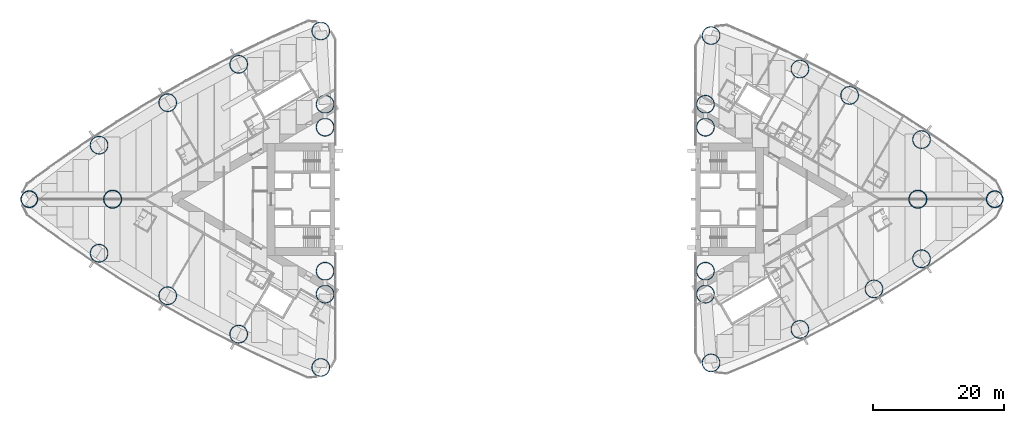
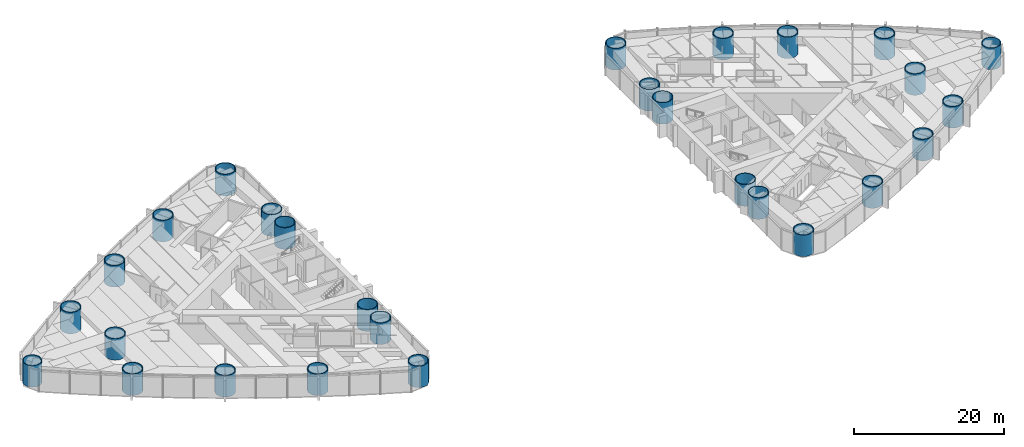
# One storey, part 1 of 19: 28 columns.
"""IFC4 building model written with IfcOpenShell, lengths in metres."""

from ifc_helpers import new_model, si_unit, direction, frame, origin, origin_2d, place, context, subcontext, project, spatial, hollow_circle, extrude, material, material_profile, profile_set, type_object, element, save


model = new_model("IFC4")

# Units and contexts
model_context = context("Model", 3, precision=1e-05, world=origin(), true_north=direction((0.0, 1.0)))
body_context = subcontext(model_context, "Body", "Model", "MODEL_VIEW")
ifc_project = project(units=[si_unit("LENGTHUNIT", "METRE"), si_unit("AREAUNIT", "SQUARE_METRE"), si_unit("VOLUMEUNIT", "CUBIC_METRE"), si_unit("PLANEANGLEUNIT", "RADIAN"), si_unit("MASSUNIT", "GRAM", prefix="KILO")], contexts=[model_context])

# Site, building, storey
site_placement = place(None, origin())
site = spatial("IfcSite", under=ifc_project, at=site_placement, CompositionType="ELEMENT")
building_placement = place(site_placement, origin())
building = spatial("IfcBuilding", under=site, at=building_placement, Name="Lancet Gate Hotel", CompositionType="ELEMENT")
storey_placement = place(building_placement, frame((0.0, 0.0, 39.0)))
storey = spatial("IfcBuildingStorey", under=building, at=storey_placement, Name="L09", CompositionType="ELEMENT", Elevation=39.0)

# Columns
ifc_material_1 = material(Name="Composite filled tube, grade 460 plate, grade 80/95 fill", Category="composite")
ifc_material_profile_1 = material_profile(ifc_material_1, hollow_circle(Radius=1.39990234375, WallThickness=0.10009765625, at=origin_2d()), Name="CHS 2800x100")
ifc_profile_set_1 = profile_set([ifc_material_profile_1], Name="Composite filled tube, grade 460 plate, grade 80/95 fill")
column_type_1 = type_object("IfcColumnType", Name="Apex column CFT CHS 2800x100", PredefinedType="COLUMN", material=ifc_profile_set_1)
for number, where, z_axis, x_axis, name in (
    (1, (-61.5, 0.0, 0.0), (0.0, 0.0, 1.0), (1.0, 0.0, 0.0), "T1 column AX L09"),
    (2, (61.5, 0.0, 0.0), (0.0, 0.0, 1.0), (1.0, 0.0, 0.0), "T2 column AX L09"),
):
    element("IfcColumn", number, at=place(storey_placement, frame(where, z_axis=z_axis, x_axis=x_axis)), inside=storey, type_object=column_type_1, Name=name, PredefinedType="COLUMN", context=body_context, shape_type="SweptSolid", body=[
        extrude(hollow_circle(Radius=1.39990234375, WallThickness=0.10009765625, at=origin_2d()), origin(), (0.0, 0.0, 1.0), 3.5),
    ])
ifc_material_2 = material(Name="Composite filled tube, grade 460 plate, grade 80/95 fill", Category="composite")
ifc_material_profile_2 = material_profile(ifc_material_2, hollow_circle(Radius=1.300048828125, WallThickness=0.10009765625, at=origin_2d()), Name="CHS 2600x100")
ifc_profile_set_2 = profile_set([ifc_material_profile_2], Name="Composite filled tube, grade 460 plate, grade 80/95 fill")
column_type_2 = type_object("IfcColumnType", Name="Apex corner column CFT CHS 2600x100", PredefinedType="COLUMN", material=ifc_profile_set_2)
for number, where, z_axis, x_axis, name in (
    (3, (-74.235107421875, 0.0, 0.0), (0.0, 0.0, 1.0), (1.0, 0.0, 0.0), "T1 column CA L09"),
    (4, (73.2392578125, 0.0, 0.0), (0.0, 0.0, 1.0), (1.0, 0.0, 0.0), "T2 column CA L09"),
):
    element("IfcColumn", number, at=place(storey_placement, frame(where, z_axis=z_axis, x_axis=x_axis)), inside=storey, type_object=column_type_2, Name=name, PredefinedType="COLUMN", context=body_context, shape_type="SweptSolid", body=[
        extrude(hollow_circle(Radius=1.300048828125, WallThickness=0.10009765625, at=origin_2d()), origin(), (0.0, 0.0, 1.0), 3.5),
    ])
ifc_material_3 = material(Name="Composite filled tube, grade 460 plate, grade 80/95 fill", Category="composite")
ifc_material_profile_3 = material_profile(ifc_material_3, hollow_circle(Radius=1.39990234375, WallThickness=0.1201171875, at=origin_2d()), Name="CHS 2800x120")
ifc_profile_set_3 = profile_set([ifc_material_profile_3], Name="Composite filled tube, grade 460 plate, grade 80/95 fill")
column_type_3 = type_object("IfcColumnType", Name="Perimeter column CFT CHS 2800x120", PredefinedType="COLUMN", material=ifc_profile_set_3)
for number, where, z_axis, x_axis, name in (
    (5, (-29.703369140625, -25.70263671875, 0.0), (0.0, 0.0, 1.0), (1.0, 0.0, 0.0), "T1 column CN L09"),
    (6, (-29.703369140625, 25.70263671875, 0.0), (0.0, 0.0, 1.0), (1.0, 0.0, 0.0), "T1 column CS L09"),
    (7, (-29.050048828125, -11.0, 0.0), (0.0, 0.0, 1.0), (1.0, 0.0, 0.0), "T1 column IN L09"),
    (8, (-29.050048828125, 11.0, 0.0), (0.0, 0.0, 1.0), (1.0, 0.0, 0.0), "T1 column IS L09"),
    (9, (-29.050048828125, 14.5, 0.0), (0.0, 0.0, 1.0), (1.0, 0.0, 0.0), "T1 column IT L09"),
    (10, (-29.050048828125, -14.5, 0.0), (0.0, 0.0, 1.0), (1.0, 0.0, 0.0), "T1 column JT L09"),
    (11, (-63.57177734375, -8.255126953125, 0.0), (0.0, 0.0, 1.0), (1.0, 0.0, 0.0), "T1 column ON1 L09"),
    (12, (-53.090087890625, -14.744873046875, 0.0), (0.0, 0.0, 1.0), (1.0, 0.0, 0.0), "T1 column ON2 L09"),
    (13, (-42.2451171875, -20.607421875, 0.0), (0.0, 0.0, 1.0), (1.0, 0.0, 0.0), "T1 column ON3 L09"),
    (14, (-42.2451171875, 20.607421875, 0.0), (0.0, 0.0, 1.0), (1.0, 0.0, 0.0), "T1 column OS1 L09"),
    (15, (-53.090087890625, 14.744873046875, 0.0), (0.0, 0.0, 1.0), (1.0, 0.0, 0.0), "T1 column OS2 L09"),
    (16, (-63.57177734375, 8.255126953125, 0.0), (0.0, 0.0, 1.0), (1.0, 0.0, 0.0), "T1 column OS3 L09"),
    (17, (29.9111328125, 25.00244140625, 0.0), (0.0, 0.0, 1.0), (1.0, 0.0, 0.0), "T2 column CN L09"),
    (18, (29.9111328125, -25.00244140625, 0.0), (0.0, 0.0, 1.0), (1.0, 0.0, 0.0), "T2 column CS L09"),
    (19, (29.050048828125, 11.0, 0.0), (0.0, 0.0, 1.0), (1.0, 0.0, 0.0), "T2 column IN L09"),
    (20, (29.050048828125, -11.0, 0.0), (0.0, 0.0, 1.0), (1.0, 0.0, 0.0), "T2 column IS L09"),
    (21, (29.050048828125, -14.5, 0.0), (0.0, 0.0, 1.0), (1.0, 0.0, 0.0), "T2 column IT L09"),
    (22, (29.050048828125, 14.5, 0.0), (0.0, 0.0, 1.0), (1.0, 0.0, 0.0), "T2 column JT L09"),
    (23, (62.059326171875, 9.10498046875, 0.0), (0.0, 0.0, 1.0), (1.0, 0.0, 0.0), "T2 column ON1 L09"),
    (24, (51.07763671875, 15.8583984375, 0.0), (0.0, 0.0, 1.0), (1.0, 0.0, 0.0), "T2 column ON2 L09"),
    (25, (43.484130859375, 19.886474609375, 0.0), (0.0, 0.0, 1.0), (1.0, 0.0, 0.0), "T2 column ON3 L09"),
    (26, (43.484130859375, -19.886474609375, 0.0), (0.0, 0.0, 1.0), (1.0, 0.0, 0.0), "T2 column OS1 L09"),
    (27, (54.795166015625, -13.70068359375, 0.0), (0.0, 0.0, 1.0), (1.0, 0.0, 0.0), "T2 column OS2 L09"),
    (28, (62.059326171875, -9.10498046875, 0.0), (0.0, 0.0, 1.0), (1.0, 0.0, 0.0), "T2 column OS3 L09"),
):
    element("IfcColumn", number, at=place(storey_placement, frame(where, z_axis=z_axis, x_axis=x_axis)), inside=storey, type_object=column_type_3, Name=name, PredefinedType="COLUMN", context=body_context, shape_type="SweptSolid", body=[
        extrude(hollow_circle(Radius=1.39990234375, WallThickness=0.1201171875, at=origin_2d()), origin(), (0.0, 0.0, 1.0), 3.5),
    ])

save(model, "model.ifc")
